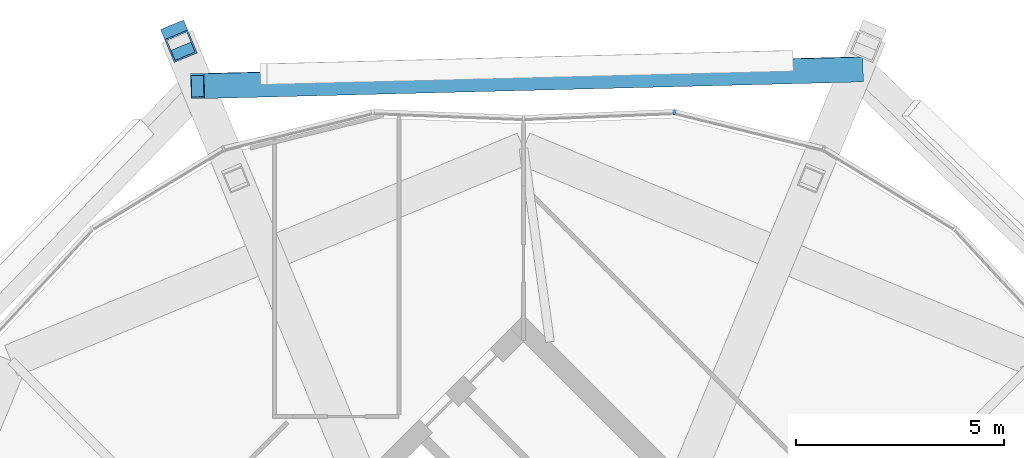
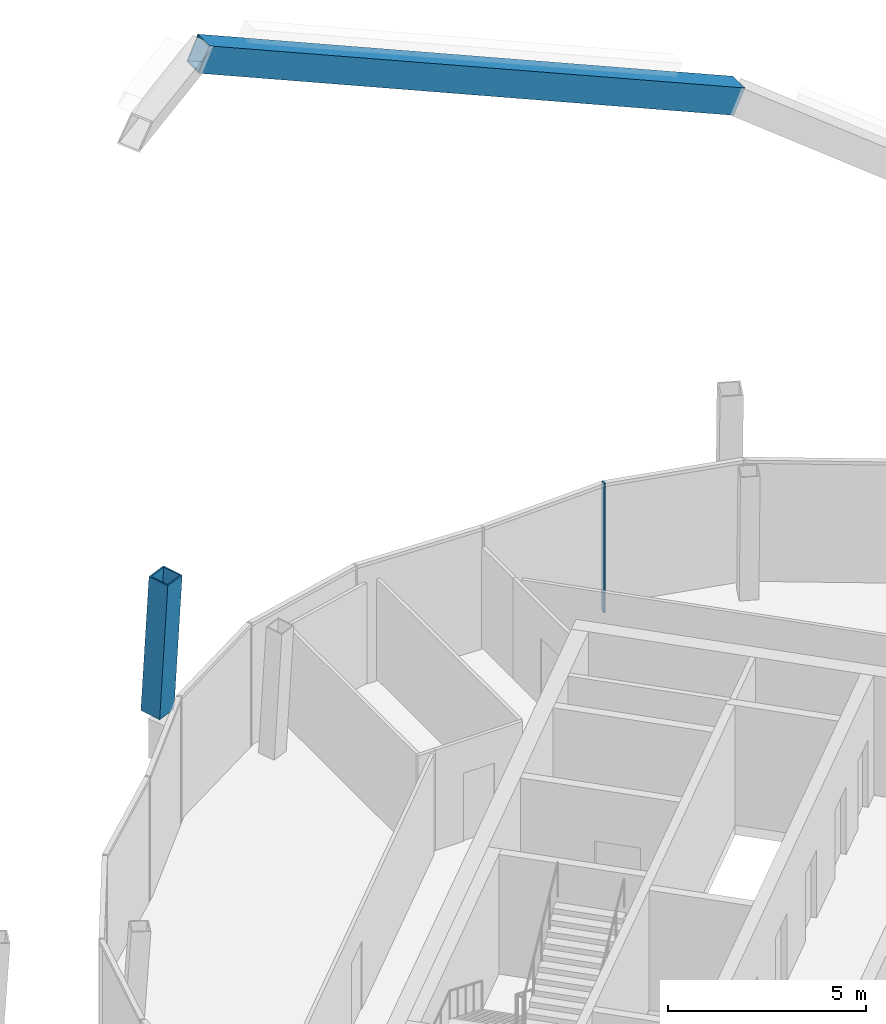
# One storey, part 24 of 34: 2 members, 1 beam, 1 element without a shape of its own.
"""IFC4 building model written with IfcOpenShell, lengths in metres."""

from ifc_helpers import new_model, si_unit, direction, frame, origin, origin_2d, place, context, subcontext, project, spatial, rectangle, hollow_rectangle, extrude, material, material_profile, profile_set, type_object, element, aggregate, save


model = new_model("IFC4")

# Units and contexts
model_context = context("Model", 3, precision=1e-05, world=origin(), true_north=direction((0.0, 1.0)))
body_context = subcontext(model_context, "Body", "Model", "MODEL_VIEW")
ifc_project = project(units=[si_unit("LENGTHUNIT", "METRE"), si_unit("AREAUNIT", "SQUARE_METRE"), si_unit("VOLUMEUNIT", "CUBIC_METRE"), si_unit("PLANEANGLEUNIT", "RADIAN"), si_unit("MASSUNIT", "GRAM", prefix="KILO")], contexts=[model_context])

# Site, building, storey
site_placement = place(None, origin())
site = spatial("IfcSite", under=ifc_project, at=site_placement, CompositionType="ELEMENT")
building_placement = place(site_placement, origin())
building = spatial("IfcBuilding", under=site, at=building_placement, Name="Ogive Gate Towers", CompositionType="ELEMENT")
storey_placement = place(building_placement, frame((0.0, 0.0, 294.0)))
storey = spatial("IfcBuildingStorey", under=building, at=storey_placement, Name="L69", CompositionType="ELEMENT", Elevation=294.0)

# Curtain wall, member
ifc_material_1 = material(Name="Pale metal aluminium", Category="aluminium")
curtain_wall_type = type_object("IfcCurtainWallType", Name="Crown lean wall", PredefinedType="NOTDEFINED", material=ifc_material_1)
curtain_wall_placement = place(storey_placement, origin())
curtain_wall = element("IfcCurtainWall", 1, at=curtain_wall_placement, inside=storey, type_object=curtain_wall_type, Name="CW5 T2 ECW02", PredefinedType="NOTDEFINED")
ifc_material_profile_1 = material_profile(ifc_material_1, rectangle(XDim=0.139892578125, YDim=0.050048828125, at=origin_2d()), Name="50 x 140 aluminium box")
ifc_profile_set_1 = profile_set([ifc_material_profile_1], Name="Pale metal aluminium")
member_type_1 = type_object("IfcMemberType", Name="Crown lean wall mullion 50 x 140", PredefinedType="MULLION", material=ifc_profile_set_1)
member_1_placement = place(storey_placement, frame((39.633056640625, 18.328857421875, -0.300048828125), z_axis=(0.0, 0.0, 1.0), x_axis=(-0.100101233848, -0.99497725752, 0.0)))
member_1 = element("IfcMember", 2, at=member_1_placement, type_object=member_type_1, Name="CW5 mullion", PredefinedType="MULLION", context=body_context, shape_type="SweptSolid", body=[
    extrude(rectangle(XDim=0.139892578125, YDim=0.050048828125, at=origin_2d()), origin(), (0.0, 0.0, 1.0), 4.0),
])
aggregate(curtain_wall, [member_1])

# Member
ifc_material_2 = material(Name="Steel SM460", Category="steel")
ifc_material_profile_2 = material_profile(ifc_material_2, hollow_rectangle(XDim=0.60009765625, YDim=0.60009765625, WallThickness=0.0400390625, at=origin_2d()), Name="BX 600x600x40")
ifc_profile_set_2 = profile_set([ifc_material_profile_2], Name="Steel SM460")
member_type_2 = type_object("IfcMemberType", Name="Crown rib BX 600x600x40", PredefinedType="MEMBER", material=ifc_profile_set_2)
member_2_placement = place(storey_placement, frame((27.649658203125, 20.159423828125, -0.25), z_axis=(0.023393742281, -0.056420201971, 0.998133003979), x_axis=(0.923742113572, 0.3830150227, 0.0)))
element("IfcMember", 3, at=member_2_placement, inside=storey, type_object=member_type_2, Name="T2/L69/STR003", PredefinedType="MEMBER", context=body_context, shape_type="SweptSolid", body=[
    extrude(hollow_rectangle(XDim=0.60009765625, YDim=0.60009765625, WallThickness=0.0400390625, at=origin_2d()), origin(), (0.0, 0.0, 1.0), 4.258056640625),
])

# Beam
ifc_material_profile_3 = material_profile(ifc_material_2, hollow_rectangle(XDim=0.60009765625, YDim=0.800048828125, WallThickness=0.0400390625, at=origin_2d()), Name="BX 800x600x40")
ifc_profile_set_3 = profile_set([ifc_material_profile_3], Name="Steel SM460")
beam_type = type_object("IfcBeamType", Name="Crown ring beam BX 800x600x40", PredefinedType="BEAM", material=ifc_profile_set_3)
beam_placement = place(storey_placement, frame((44.018798828125, 19.359130859375, 13.474365234375), z_axis=(-0.912575002442, -0.023077932348, 0.408257607347), x_axis=(-0.021067526414, 0.999733669046, 0.009420738138)))
element("IfcBeam", 4, at=beam_placement, inside=storey, type_object=beam_type, Name="T2/L69/SBM002", PredefinedType="BEAM", context=body_context, shape_type="SweptSolid", body=[
    extrude(hollow_rectangle(XDim=0.60009765625, YDim=0.800048828125, WallThickness=0.0400390625, at=origin_2d()), origin(), (0.0, 0.0, 1.0), 17.391845703125),
])

save(model, "model.ifc")
